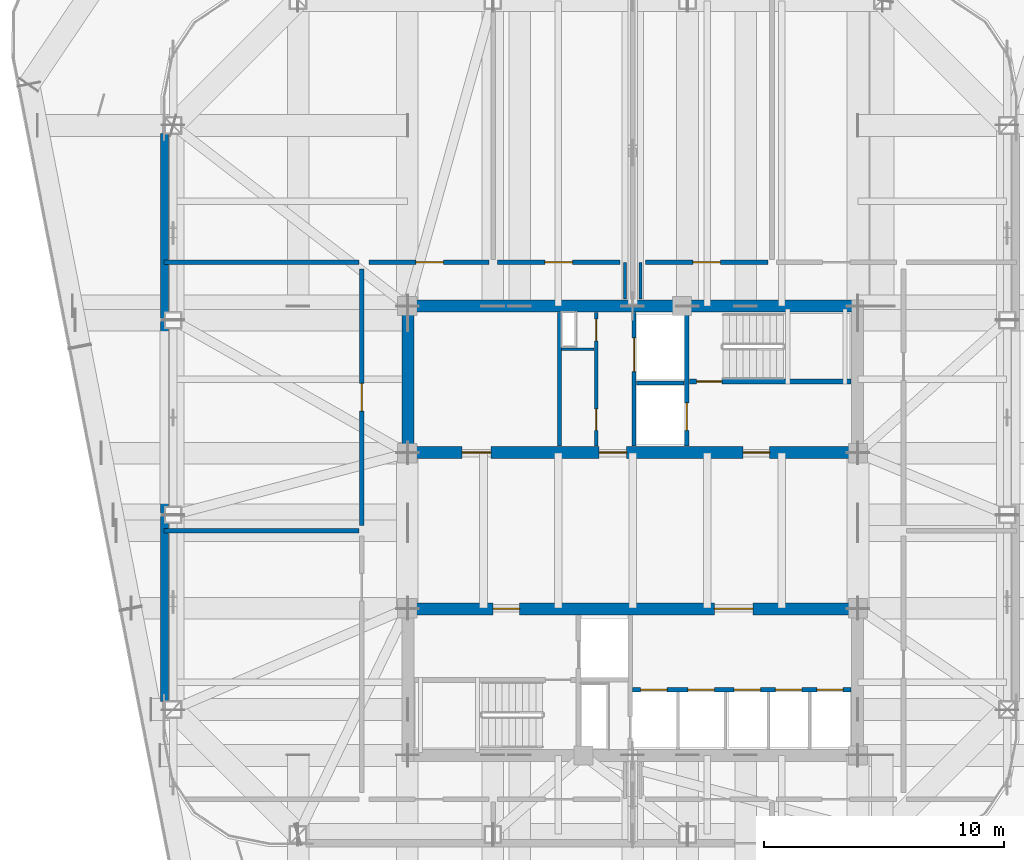
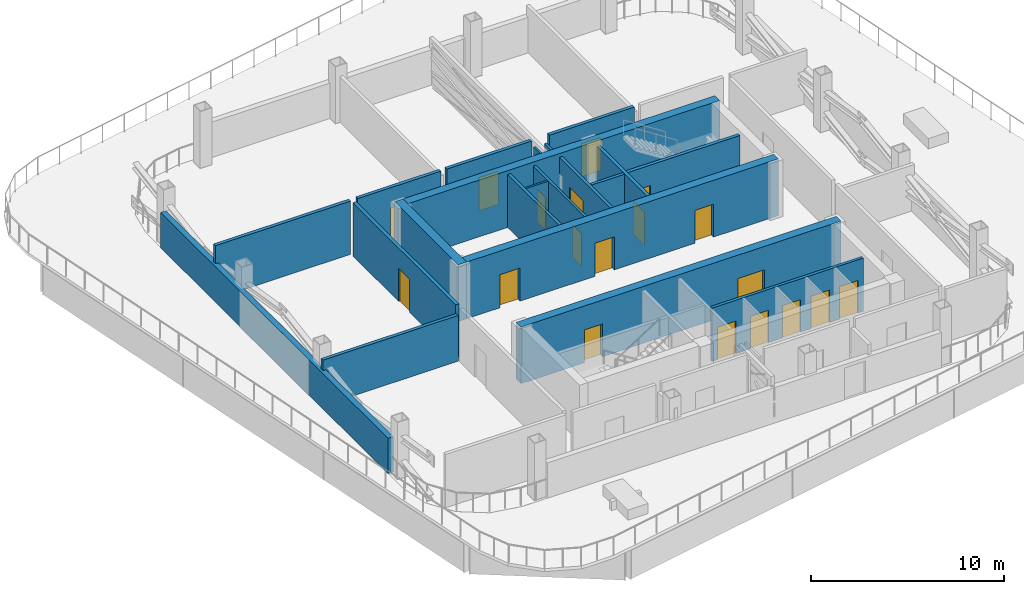
# One storey, part 8 of 14: 21 walls, 19 doors, 19 openings.
"""IFC4 building model written with IfcOpenShell, lengths in metres."""

from ifc_helpers import new_model, si_unit, direction, frame, frame_2d, origin, place, context, subcontext, project, spatial, rectangle, extrude, material, layer, layer_set, type_object, element, fill, save


model = new_model("IFC4")

# Units and contexts
model_context = context("Model", 3, precision=1e-05, world=origin(), true_north=direction((0.0, 1.0)))
body_context = subcontext(model_context, "Body", "Model", "MODEL_VIEW")
ifc_project = project(units=[si_unit("LENGTHUNIT", "METRE"), si_unit("AREAUNIT", "SQUARE_METRE"), si_unit("VOLUMEUNIT", "CUBIC_METRE"), si_unit("PLANEANGLEUNIT", "RADIAN"), si_unit("MASSUNIT", "GRAM", prefix="KILO")], contexts=[model_context])

# Site, building, storey
site_placement = place(None, origin())
site = spatial("IfcSite", under=ifc_project, at=site_placement, CompositionType="ELEMENT")
building_placement = place(site_placement, origin())
building = spatial("IfcBuilding", under=site, at=building_placement, Name="Qhalaya Broadcast Tower", CompositionType="ELEMENT")
storey_placement = place(building_placement, frame((0.0, 0.0, 144.60009765625)))
storey = spatial("IfcBuildingStorey", under=building, at=storey_placement, Name="L42", CompositionType="ELEMENT", Elevation=144.60009765625)

# Wall, openings, doors
ifc_material_1 = material(Name="Gypsum Acoustic Partition")
ifc_layer_1 = layer(ifc_material_1, 0.14990234375, Name="Gypsum Acoustic Partition")
ifc_layer_set_1 = layer_set([ifc_layer_1], Name="Gypsum Acoustic Partition")
wall_type_1 = type_object("IfcWallType", Name="Corridor & Tenancy Acoustic Partition 150", PredefinedType="PARTITIONING", material=ifc_layer_set_1)
wall_1_placement = place(storey_placement, frame((-1.52001953125, 4.1201171875, 0.0), z_axis=(0.0, 0.0, 1.0), x_axis=(0.0, 1.0, 0.0)))
wall_1 = element("IfcWall", 1, at=wall_1_placement, inside=storey, type_object=wall_type_1, Name="L42 Partition Wall NCW-SVL", PredefinedType="PARTITIONING", context=body_context, shape_type="SweptSolid", body=[
    extrude(rectangle(XDim=5.559814453125, YDim=0.14990234375, at=frame_2d((2.77978515625, 0.0))), origin(), (0.0, 0.0, 1.0), 3.3798828125),
])
opening_1_placement = place(wall_1_placement, frame((4.3798828125, 0.0, 0.0)))
opening_1 = element("IfcOpeningElement", 2, at=opening_1_placement, cuts=wall_1, Name="Opening D06", PredefinedType="OPENING", context=body_context, shape_type="SweptSolid", body=[
    extrude(rectangle(XDim=0.89990234375, YDim=2.050048828125, at=frame_2d((0.449951171875, 1.02490234375))), frame((0.0, 0.0869140625, 0.0), z_axis=(0.0, -1.0, 0.0), x_axis=(1.0, 0.0, 0.0)), (0.0, 0.0, 1.0), 0.173828125),
])
opening_2_placement = place(wall_1_placement, frame((0.64990234375, 0.0, 0.0)))
opening_2 = element("IfcOpeningElement", 3, at=opening_2_placement, cuts=wall_1, Name="Opening D06", PredefinedType="OPENING", context=body_context, shape_type="SweptSolid", body=[
    extrude(rectangle(XDim=0.89990234375, YDim=2.050048828125, at=frame_2d((0.449951171875, 1.02490234375))), frame((0.0, 0.0869140625, 0.0), z_axis=(0.0, -1.0, 0.0), x_axis=(1.0, 0.0, 0.0)), (0.0, 0.0, 1.0), 0.173828125),
])
ifc_material_2 = material(Name="Fire-Rated Steel Door", Category="steel")
door_type_1 = type_object("IfcDoorType", Name="Riser & Electrical Shaft Access Door D06", OperationType="NOTDEFINED", PredefinedType="DOOR", material=ifc_material_2)
door_1_placement = place(opening_1_placement, origin())
door_1 = element("IfcDoor", 4, at=door_1_placement, inside=storey, type_object=door_type_1, Name="L42 Riser Shaft Access Door D-NRSR", OperationType="SINGLE_SWING_RIGHT", OverallHeight=2.050048828125, OverallWidth=0.89990234375, PredefinedType="DOOR", context=body_context, shape_type="SweptSolid", body=[
    extrude(rectangle(XDim=0.89990234375, YDim=2.050048828125, at=frame_2d((0.449951171875, 1.02490234375))), frame((0.0, 0.02490234375, 0.0), z_axis=(0.0, -1.0, 0.0), x_axis=(1.0, 0.0, 0.0)), (0.0, 0.0, 1.0), 0.050048828125),
])
fill(opening_1, door_1)
door_2_placement = place(opening_2_placement, origin())
door_2 = element("IfcDoor", 5, at=door_2_placement, inside=storey, type_object=door_type_1, Name="L42 Door D-NCST", OperationType="SINGLE_SWING_LEFT", OverallHeight=2.050048828125, OverallWidth=0.89990234375, PredefinedType="DOOR", context=body_context, shape_type="SweptSolid", body=[
    extrude(rectangle(XDim=0.89990234375, YDim=2.050048828125, at=frame_2d((0.449951171875, 1.02490234375))), frame((0.0, 0.02490234375, 0.0), z_axis=(0.0, -1.0, 0.0), x_axis=(1.0, 0.0, 0.0)), (0.0, 0.0, 1.0), 0.050048828125),
])
fill(opening_2, door_2)

# Wall, opening, door
ifc_layer_2 = layer(ifc_material_1, 0.199951171875, Name="Gypsum Acoustic Partition")
ifc_layer_set_2 = layer_set([ifc_layer_2], Name="Gypsum Acoustic Partition")
wall_type_2 = type_object("IfcWallType", Name="Firefighting Lobby & Stair Enclosure Wall 200", PredefinedType="PARTITIONING", material=ifc_layer_set_2)
wall_2_placement = place(storey_placement, frame((-5.97998046875, 11.77001953125, 0.0), z_axis=(0.0, 0.0, 1.0), x_axis=(-1.0, 0.0, 0.0)))
wall_2 = element("IfcWall", 6, at=wall_2_placement, inside=storey, type_object=wall_type_2, Name="L42 Partition Wall W-PCN0", PredefinedType="PARTITIONING", context=body_context, shape_type="SweptSolid", body=[
    extrude(rectangle(XDim=4.989990234375, YDim=0.199951171875, at=frame_2d((2.4951171875, 0.0))), origin(), (0.0, 0.0, 1.0), 3.3798828125),
])
opening_3_placement = place(wall_2_placement, frame((1.889892578125, 0.0, 0.0)))
opening_3 = element("IfcOpeningElement", 7, at=opening_3_placement, cuts=wall_2, Name="Opening D05", PredefinedType="OPENING", context=body_context, shape_type="SweptSolid", body=[
    extrude(rectangle(XDim=1.14990234375, YDim=2.10009765625, at=frame_2d((0.574951171875, 1.050048828125))), frame((0.0, 0.112060546875, 0.0), z_axis=(0.0, -1.0, 0.0), x_axis=(1.0, 0.0, 0.0)), (0.0, 0.0, 1.0), 0.223876953125),
])
door_type_2 = type_object("IfcDoorType", Name="Refuge & Plant Room Fire Door D05", OperationType="NOTDEFINED", PredefinedType="DOOR", material=ifc_material_2)
door_3_placement = place(opening_3_placement, origin())
door_3 = element("IfcDoor", 8, at=door_3_placement, inside=storey, type_object=door_type_2, Name="L42 Door D-PCN0", OperationType="SINGLE_SWING_LEFT", OverallHeight=2.10009765625, OverallWidth=1.14990234375, PredefinedType="DOOR", context=body_context, shape_type="SweptSolid", body=[
    extrude(rectangle(XDim=1.14990234375, YDim=2.10009765625, at=frame_2d((0.574951171875, 1.050048828125))), frame((0.0, 0.02490234375, 0.0), z_axis=(0.0, -1.0, 0.0), x_axis=(1.0, 0.0, 0.0)), (0.0, 0.0, 1.0), 0.050048828125),
])
fill(opening_3, door_3)

wall_3_placement = place(storey_placement, frame((-0.530029296875, 11.77001953125, 0.0), z_axis=(0.0, 0.0, 1.0), x_axis=(-1.0, 0.0, 0.0)))
wall_3 = element("IfcWall", 9, at=wall_3_placement, inside=storey, type_object=wall_type_2, Name="L42 Partition Wall W-PCN1", PredefinedType="PARTITIONING", context=body_context, shape_type="SweptSolid", body=[
    extrude(rectangle(XDim=5.090087890625, YDim=0.199951171875, at=frame_2d((2.544921875, 0.0))), origin(), (0.0, 0.0, 1.0), 3.3798828125),
])
opening_4_placement = place(wall_3_placement, frame((1.969970703125, 0.0, 0.0)))
opening_4 = element("IfcOpeningElement", 10, at=opening_4_placement, cuts=wall_3, Name="Opening D05", PredefinedType="OPENING", context=body_context, shape_type="SweptSolid", body=[
    extrude(rectangle(XDim=1.14990234375, YDim=2.10009765625, at=frame_2d((0.574951171875, 1.050048828125))), frame((0.0, 0.112060546875, 0.0), z_axis=(0.0, -1.0, 0.0), x_axis=(1.0, 0.0, 0.0)), (0.0, 0.0, 1.0), 0.223876953125),
])
door_4_placement = place(opening_4_placement, origin())
door_4 = element("IfcDoor", 11, at=door_4_placement, inside=storey, type_object=door_type_2, Name="L42 Door D-PCN1", OperationType="SINGLE_SWING_LEFT", OverallHeight=2.10009765625, OverallWidth=1.14990234375, PredefinedType="DOOR", context=body_context, shape_type="SweptSolid", body=[
    extrude(rectangle(XDim=1.14990234375, YDim=2.10009765625, at=frame_2d((0.574951171875, 1.050048828125))), frame((0.0, 0.02490234375, 0.0), z_axis=(0.0, -1.0, 0.0), x_axis=(1.0, 0.0, 0.0)), (0.0, 0.0, 1.0), 0.050048828125),
])
fill(opening_4, door_4)

wall_4_placement = place(storey_placement, frame((5.6201171875, 11.77001953125, 0.0), z_axis=(0.0, 0.0, 1.0), x_axis=(-1.0, 0.0, 0.0)))
wall_4 = element("IfcWall", 12, at=wall_4_placement, inside=storey, type_object=wall_type_2, Name="L42 Partition Wall W-PCN2", PredefinedType="PARTITIONING", context=body_context, shape_type="SweptSolid", body=[
    extrude(rectangle(XDim=5.090087890625, YDim=0.199951171875, at=frame_2d((2.544921875, 0.0))), origin(), (0.0, 0.0, 1.0), 3.3798828125),
])
opening_5_placement = place(wall_4_placement, frame((1.969970703125, 0.0, 0.0)))
opening_5 = element("IfcOpeningElement", 13, at=opening_5_placement, cuts=wall_4, Name="Opening D05", PredefinedType="OPENING", context=body_context, shape_type="SweptSolid", body=[
    extrude(rectangle(XDim=1.14990234375, YDim=2.10009765625, at=frame_2d((0.574951171875, 1.050048828125))), frame((0.0, 0.112060546875, 0.0), z_axis=(0.0, -1.0, 0.0), x_axis=(1.0, 0.0, 0.0)), (0.0, 0.0, 1.0), 0.223876953125),
])
door_5_placement = place(opening_5_placement, origin())
door_5 = element("IfcDoor", 14, at=door_5_placement, inside=storey, type_object=door_type_2, Name="L42 Door D-PCN2", OperationType="SINGLE_SWING_LEFT", OverallHeight=2.10009765625, OverallWidth=1.14990234375, PredefinedType="DOOR", context=body_context, shape_type="SweptSolid", body=[
    extrude(rectangle(XDim=1.14990234375, YDim=2.10009765625, at=frame_2d((0.574951171875, 1.050048828125))), frame((0.0, 0.02490234375, 0.0), z_axis=(0.0, -1.0, 0.0), x_axis=(1.0, 0.0, 0.0)), (0.0, 0.0, 1.0), 0.050048828125),
])
fill(opening_5, door_5)

# Walls
wall_5_placement = place(storey_placement, frame((-19.5, 11.77001953125, 0.0), z_axis=(0.0, 0.0, 1.0), x_axis=(1.0, 0.0, 0.0)))
element("IfcWall", 15, at=wall_5_placement, inside=storey, type_object=wall_type_2, Name="L42 Partition Wall W-PBNW", PredefinedType="PARTITIONING", context=body_context, shape_type="SweptSolid", body=[
    extrude(rectangle(XDim=8.110107421875, YDim=0.199951171875, at=frame_2d((4.05517578125, 0.0))), origin(), (0.0, 0.0, 1.0), 3.3798828125),
])
wall_6_placement = place(storey_placement, frame((-19.5, 0.60009765625, 0.0), z_axis=(0.0, 0.0, 1.0), x_axis=(1.0, 0.0, 0.0)))
element("IfcWall", 16, at=wall_6_placement, inside=storey, type_object=wall_type_2, Name="L42 Partition Wall W-PDW1", PredefinedType="PARTITIONING", context=body_context, shape_type="SweptSolid", body=[
    extrude(rectangle(XDim=8.110107421875, YDim=0.199951171875, at=frame_2d((4.05517578125, 0.0))), origin(), (0.0, 0.0, 1.0), 2.90087890625),
])

# Wall, opening, door
wall_7_placement = place(storey_placement, frame((-11.27001953125, 11.489990234375, 0.0), z_axis=(0.0, 0.0, 1.0), x_axis=(0.0, -1.0, 0.0)))
wall_7 = element("IfcWall", 17, at=wall_7_placement, inside=storey, type_object=wall_type_2, Name="L42 Partition Wall W-PCW2", PredefinedType="PARTITIONING", context=body_context, shape_type="SweptSolid", body=[
    extrude(rectangle(XDim=10.679931640625, YDim=0.199951171875, at=frame_2d((5.33984375, 0.0))), origin(), (0.0, 0.0, 1.0), 3.3798828125),
])
opening_6_placement = place(wall_7_placement, frame((4.764892578125, 0.0, 0.0)))
opening_6 = element("IfcOpeningElement", 18, at=opening_6_placement, cuts=wall_7, Name="Opening D05", PredefinedType="OPENING", context=body_context, shape_type="SweptSolid", body=[
    extrude(rectangle(XDim=1.14990234375, YDim=2.10009765625, at=frame_2d((0.574951171875, 1.050048828125))), frame((0.0, 0.112060546875, 0.0), z_axis=(0.0, -1.0, 0.0), x_axis=(1.0, 0.0, 0.0)), (0.0, 0.0, 1.0), 0.223876953125),
])
door_6_placement = place(opening_6_placement, origin())
door_6 = element("IfcDoor", 19, at=door_6_placement, inside=storey, type_object=door_type_2, Name="L42 Door D-PCW2", OperationType="SINGLE_SWING_RIGHT", OverallHeight=2.10009765625, OverallWidth=1.14990234375, PredefinedType="DOOR", context=body_context, shape_type="SweptSolid", body=[
    extrude(rectangle(XDim=1.14990234375, YDim=2.10009765625, at=frame_2d((0.574951171875, 1.050048828125))), frame((0.0, 0.02490234375, 0.0), z_axis=(0.0, -1.0, 0.0), x_axis=(1.0, 0.0, 0.0)), (0.0, 0.0, 1.0), 0.050048828125),
])
fill(opening_6, door_6)

ifc_material_3 = material(Name="Concrete C50/60", Category="concrete")
ifc_layer_3 = layer(ifc_material_3, 0.199951171875, Name="Concrete C50/60")
ifc_layer_set_3 = layer_set([ifc_layer_3], Name="Concrete C50/60")
wall_type_3 = type_object("IfcWallType", Name="Load-Bearing Stair Shaft Wall 200", PredefinedType="SHEAR", material=ifc_layer_set_3)
wall_8_placement = place(storey_placement, frame((2.360107421875, 6.804931640625, 0.0), z_axis=(0.0, 0.0, 1.0), x_axis=(1.0, 0.0, 0.0)))
wall_8 = element("IfcWall", 20, at=wall_8_placement, inside=storey, type_object=wall_type_3, Name="L42 Stair Core Shear Wall NCW-ST1", PredefinedType="SHEAR", context=body_context, shape_type="SweptSolid", body=[
    extrude(rectangle(XDim=6.719970703125, YDim=0.199951171875, at=frame_2d((3.35986328125, 0.0))), origin(), (0.0, 0.0, 1.0), 3.3798828125),
])
opening_7_placement = place(wall_8_placement, frame((0.300048828125, 0.0, 0.0)))
opening_7 = element("IfcOpeningElement", 21, at=opening_7_placement, cuts=wall_8, Name="Opening D03", PredefinedType="OPENING", context=body_context, shape_type="SweptSolid", body=[
    extrude(rectangle(XDim=1.050048828125, YDim=2.080078125, at=frame_2d((0.52490234375, 1.0400390625))), frame((0.0, 0.112060546875, 0.0), z_axis=(0.0, -1.0, 0.0), x_axis=(1.0, 0.0, 0.0)), (0.0, 0.0, 1.0), 0.223876953125),
])
door_type_3 = type_object("IfcDoorType", Name="Core Stair Protected Fire Door D03", OperationType="NOTDEFINED", PredefinedType="DOOR", material=ifc_material_2)
door_7_placement = place(opening_7_placement, origin())
door_7 = element("IfcDoor", 22, at=door_7_placement, inside=storey, type_object=door_type_3, Name="L42 Door D-NST1", OperationType="SINGLE_SWING_LEFT", OverallHeight=2.080078125, OverallWidth=1.050048828125, PredefinedType="DOOR", context=body_context, shape_type="SweptSolid", body=[
    extrude(rectangle(XDim=1.050048828125, YDim=2.080078125, at=frame_2d((0.52490234375, 1.0400390625))), frame((0.0, 0.02490234375, 0.0), z_axis=(0.0, -1.0, 0.0), x_axis=(1.0, 0.0, 0.0)), (0.0, 0.0, 1.0), 0.050048828125),
])
fill(opening_7, door_7)

wall_9_placement = place(storey_placement, frame((2.25, 4.1201171875, 0.0), z_axis=(0.0, 0.0, 1.0), x_axis=(0.0, 1.0, 0.0)))
wall_9 = element("IfcWall", 23, at=wall_9_placement, inside=storey, type_object=wall_type_3, Name="L42 Stair Core Shear Wall NCW-FF", PredefinedType="SHEAR", context=body_context, shape_type="SweptSolid", body=[
    extrude(rectangle(XDim=5.559814453125, YDim=0.199951171875, at=frame_2d((2.77978515625, 0.0))), origin(), (0.0, 0.0, 1.0), 3.3798828125),
])
opening_8_placement = place(wall_9_placement, frame((0.64990234375, 0.0, 0.0)))
opening_8 = element("IfcOpeningElement", 24, at=opening_8_placement, cuts=wall_9, Name="Opening LD2", PredefinedType="OPENING", context=body_context, shape_type="SweptSolid", body=[
    extrude(rectangle(XDim=1.14990234375, YDim=2.080078125, at=frame_2d((0.574951171875, 1.0400390625))), frame((0.0, 0.112060546875, 0.0), z_axis=(0.0, -1.0, 0.0), x_axis=(1.0, 0.0, 0.0)), (0.0, 0.0, 1.0), 0.223876953125),
])
ifc_material_4 = material(Name="Brushed Stainless Steel Lift Door", Category="steel")
door_type_4 = type_object("IfcDoorType", Name="Firefighting Lift Sliding Landing Door LD2", OperationType="DOUBLE_DOOR_SLIDING", PredefinedType="DOOR", material=ifc_material_4)
door_8_placement = place(opening_8_placement, origin())
door_8 = element("IfcDoor", 25, at=door_8_placement, inside=storey, type_object=door_type_4, Name="L42 Door LD-FF1", OperationType="DOUBLE_DOOR_SLIDING", OverallHeight=2.080078125, OverallWidth=1.14990234375, PredefinedType="DOOR", context=body_context, shape_type="SweptSolid", body=[
    extrude(rectangle(XDim=1.14990234375, YDim=2.080078125, at=frame_2d((0.574951171875, 1.0400390625))), frame((0.0, 0.02490234375, 0.0), z_axis=(0.0, -1.0, 0.0), x_axis=(1.0, 0.0, 0.0)), (0.0, 0.0, 1.0), 0.050048828125),
])
fill(opening_8, door_8)

# Wall
ifc_layer_4 = layer(ifc_material_3, 0.5, Name="Concrete C50/60")
ifc_layer_set_4 = layer_set([ifc_layer_4], Name="Concrete C50/60")
wall_type_4 = type_object("IfcWallType", Name="Mid Split-Core Shear Wall 500", PredefinedType="SHEAR", material=ifc_layer_set_4)
wall_10_placement = place(storey_placement, frame((-9.60009765625, 9.949951171875, 0.0), z_axis=(0.0, 0.0, 1.0), x_axis=(1.0, 0.0, 0.0)))
element("IfcWall", 26, at=wall_10_placement, inside=storey, type_object=wall_type_4, Name="L42 Split-Core Shear Wall CW-NN", PredefinedType="SHEAR", context=body_context, shape_type="SweptSolid", body=[
    extrude(rectangle(XDim=19.2001953125, YDim=0.5, at=frame_2d((9.60009765625, 0.0))), origin(), (0.0, 0.0, 1.0), 3.599853515625),
])

# Wall, openings, doors
wall_11_placement = place(storey_placement, frame((-9.60009765625, 3.85009765625, 0.0), z_axis=(0.0, 0.0, 1.0), x_axis=(1.0, 0.0, 0.0)))
wall_11 = element("IfcWall", 27, at=wall_11_placement, inside=storey, type_object=wall_type_4, Name="L42 Split-Core Shear Wall CW-NS", PredefinedType="SHEAR", context=body_context, shape_type="SweptSolid", body=[
    extrude(rectangle(XDim=19.2001953125, YDim=0.5, at=frame_2d((9.60009765625, 0.0))), origin(), (0.0, 0.0, 1.0), 3.599853515625),
])
opening_9_placement = place(wall_11_placement, frame((14.199951171875, 0.0, 0.0)))
opening_9 = element("IfcOpeningElement", 28, at=opening_9_placement, cuts=wall_11, Name="Opening D04", PredefinedType="OPENING", context=body_context, shape_type="SweptSolid", body=[
    extrude(rectangle(XDim=1.10009765625, YDim=2.080078125, at=frame_2d((0.550048828125, 1.0400390625))), frame((0.0, 0.261962890625, 0.0), z_axis=(0.0, -1.0, 0.0), x_axis=(1.0, 0.0, 0.0)), (0.0, 0.0, 1.0), 0.52392578125),
])
opening_10_placement = place(wall_11_placement, frame((8.199951171875, 0.0, 0.0)))
opening_10 = element("IfcOpeningElement", 29, at=opening_10_placement, cuts=wall_11, Name="Opening D05", PredefinedType="OPENING", context=body_context, shape_type="SweptSolid", body=[
    extrude(rectangle(XDim=1.14990234375, YDim=2.10009765625, at=frame_2d((0.574951171875, 1.050048828125))), frame((0.0, 0.261962890625, 0.0), z_axis=(0.0, -1.0, 0.0), x_axis=(1.0, 0.0, 0.0)), (0.0, 0.0, 1.0), 0.52392578125),
])
opening_11_placement = place(wall_11_placement, frame((2.5, 0.0, 0.0)))
opening_11 = element("IfcOpeningElement", 30, at=opening_11_placement, cuts=wall_11, Name="Opening D11", PredefinedType="OPENING", context=body_context, shape_type="SweptSolid", body=[
    extrude(rectangle(XDim=1.199951171875, YDim=2.10009765625, at=frame_2d((0.60009765625, 1.050048828125))), frame((0.0, 0.261962890625, 0.0), z_axis=(0.0, -1.0, 0.0), x_axis=(1.0, 0.0, 0.0)), (0.0, 0.0, 1.0), 0.52392578125),
])
ifc_material_5 = material(Name="Anodised Aluminium Glazed Door", Category="aluminium")
door_type_5 = type_object("IfcDoorType", Name="Conference, Boardroom & Studio Control Door D11", OperationType="NOTDEFINED", PredefinedType="DOOR", material=ifc_material_5)
door_9_placement = place(opening_11_placement, origin())
door_9 = element("IfcDoor", 31, at=door_9_placement, inside=storey, type_object=door_type_5, Name="L42 Door D-NREC1", OperationType="SINGLE_SWING_LEFT", OverallHeight=2.10009765625, OverallWidth=1.199951171875, PredefinedType="DOOR", context=body_context, shape_type="SweptSolid", body=[
    extrude(rectangle(XDim=1.199951171875, YDim=2.10009765625, at=frame_2d((0.60009765625, 1.050048828125))), frame((0.0, 0.02490234375, 0.0), z_axis=(0.0, -1.0, 0.0), x_axis=(1.0, 0.0, 0.0)), (0.0, 0.0, 1.0), 0.050048828125),
])
fill(opening_11, door_9)
door_type_6 = type_object("IfcDoorType", Name="Firefighting Lobby Rated Door D04", OperationType="NOTDEFINED", PredefinedType="DOOR", material=ifc_material_2)
door_10_placement = place(opening_9_placement, origin())
door_10 = element("IfcDoor", 32, at=door_10_placement, inside=storey, type_object=door_type_6, Name="L42 Door D-NFF", OperationType="SINGLE_SWING_RIGHT", OverallHeight=2.080078125, OverallWidth=1.10009765625, PredefinedType="DOOR", context=body_context, shape_type="SweptSolid", body=[
    extrude(rectangle(XDim=1.10009765625, YDim=2.080078125, at=frame_2d((0.550048828125, 1.0400390625))), frame((0.0, 0.02490234375, 0.0), z_axis=(0.0, -1.0, 0.0), x_axis=(1.0, 0.0, 0.0)), (0.0, 0.0, 1.0), 0.050048828125),
])
fill(opening_9, door_10)
door_11_placement = place(opening_10_placement, origin())
door_11 = element("IfcDoor", 33, at=door_11_placement, inside=storey, type_object=door_type_2, Name="L42 Door D-NSVL", OperationType="SINGLE_SWING_LEFT", OverallHeight=2.10009765625, OverallWidth=1.14990234375, PredefinedType="DOOR", context=body_context, shape_type="SweptSolid", body=[
    extrude(rectangle(XDim=1.14990234375, YDim=2.10009765625, at=frame_2d((0.574951171875, 1.050048828125))), frame((0.0, 0.02490234375, 0.0), z_axis=(0.0, -1.0, 0.0), x_axis=(1.0, 0.0, 0.0)), (0.0, 0.0, 1.0), 0.050048828125),
])
fill(opening_10, door_11)

# Wall
wall_12_placement = place(storey_placement, frame((-9.35009765625, 3.60009765625, 0.0), z_axis=(0.0, 0.0, 1.0), x_axis=(0.0, 1.0, 0.0)))
element("IfcWall", 34, at=wall_12_placement, inside=storey, type_object=wall_type_4, Name="L42 Split-Core Shear Wall CW-NW", PredefinedType="SHEAR", context=body_context, shape_type="SweptSolid", body=[
    extrude(rectangle(XDim=6.599853515625, YDim=0.5, at=frame_2d((3.2998046875, 0.0))), origin(), (0.0, 0.0, 1.0), 3.599853515625),
])

# Wall, openings, doors
wall_13_placement = place(storey_placement, frame((-9.60009765625, -2.64990234375, 0.0), z_axis=(0.0, 0.0, 1.0), x_axis=(1.0, 0.0, 0.0)))
wall_13 = element("IfcWall", 35, at=wall_13_placement, inside=storey, type_object=wall_type_4, Name="L42 Split-Core Shear Wall CW-SN", PredefinedType="SHEAR", context=body_context, shape_type="SweptSolid", body=[
    extrude(rectangle(XDim=19.2001953125, YDim=0.5, at=frame_2d((9.60009765625, 0.0))), origin(), (0.0, 0.0, 1.0), 3.599853515625),
])
opening_12_placement = place(wall_13_placement, frame((3.800048828125, 0.0, 0.0)))
opening_12 = element("IfcOpeningElement", 36, at=opening_12_placement, cuts=wall_13, Name="Opening D04", PredefinedType="OPENING", context=body_context, shape_type="SweptSolid", body=[
    extrude(rectangle(XDim=1.10009765625, YDim=2.080078125, at=frame_2d((0.550048828125, 1.0400390625))), frame((0.0, 0.261962890625, 0.0), z_axis=(0.0, -1.0, 0.0), x_axis=(1.0, 0.0, 0.0)), (0.0, 0.0, 1.0), 0.52392578125),
])
opening_13_placement = place(wall_13_placement, frame((13.0, 0.0, 0.0)))
opening_13 = element("IfcOpeningElement", 37, at=opening_13_placement, cuts=wall_13, Name="Opening D07", PredefinedType="OPENING", context=body_context, shape_type="SweptSolid", body=[
    extrude(rectangle(XDim=1.60009765625, YDim=2.1201171875, at=frame_2d((0.800048828125, 1.06005859375))), frame((0.0, 0.261962890625, 0.0), z_axis=(0.0, -1.0, 0.0), x_axis=(1.0, 0.0, 0.0)), (0.0, 0.0, 1.0), 0.52392578125),
])
door_12_placement = place(opening_12_placement, origin())
door_12 = element("IfcDoor", 38, at=door_12_placement, inside=storey, type_object=door_type_6, Name="L42 Door D-SFF", OperationType="SINGLE_SWING_LEFT", OverallHeight=2.080078125, OverallWidth=1.10009765625, PredefinedType="DOOR", context=body_context, shape_type="SweptSolid", body=[
    extrude(rectangle(XDim=1.10009765625, YDim=2.080078125, at=frame_2d((0.550048828125, 1.0400390625))), frame((0.0, 0.02490234375, 0.0), z_axis=(0.0, -1.0, 0.0), x_axis=(1.0, 0.0, 0.0)), (0.0, 0.0, 1.0), 0.050048828125),
])
fill(opening_12, door_12)
door_type_7 = type_object("IfcDoorType", Name="Passenger Lift Lobby Double Glazed Door D07", OperationType="DOUBLE_DOOR_SINGLE_SWING", PredefinedType="DOOR", material=ifc_material_5)
door_13_placement = place(opening_13_placement, origin())
door_13 = element("IfcDoor", 39, at=door_13_placement, inside=storey, type_object=door_type_7, Name="L42 Door D-SPLL", OperationType="DOUBLE_DOOR_SINGLE_SWING", OverallHeight=2.1201171875, OverallWidth=1.60009765625, PredefinedType="DOOR", context=body_context, shape_type="SweptSolid", body=[
    extrude(rectangle(XDim=1.60009765625, YDim=2.1201171875, at=frame_2d((0.800048828125, 1.06005859375))), frame((0.0, 0.02490234375, 0.0), z_axis=(0.0, -1.0, 0.0), x_axis=(1.0, 0.0, 0.0)), (0.0, 0.0, 1.0), 0.050048828125),
])
fill(opening_13, door_13)

# Walls
ifc_layer_5 = layer(ifc_material_1, 0.1201171875, Name="Gypsum Acoustic Partition")
ifc_layer_set_5 = layer_set([ifc_layer_5], Name="Gypsum Acoustic Partition")
wall_type_5 = type_object("IfcWallType", Name="Office, Booth & Sanitary Partition 120", PredefinedType="PARTITIONING", material=ifc_layer_set_5)
wall_14_placement = place(storey_placement, frame((-2.9599609375, 8.14990234375, 0.0), z_axis=(0.0, 0.0, 1.0), x_axis=(1.0, 0.0, 0.0)))
element("IfcWall", 40, at=wall_14_placement, inside=storey, type_object=wall_type_5, Name="L42 Partition Wall NCW-VA", PredefinedType="PARTITIONING", context=body_context, shape_type="SweptSolid", body=[
    extrude(rectangle(XDim=1.35986328125, YDim=0.1201171875, at=frame_2d((0.679931640625, 0.0))), origin(), (0.0, 0.0, 1.0), 3.3798828125),
])
for number, where, z_axis, x_axis, name in (
    (41, (-0.320068359375, 10.239990234375, 0.0), (0.0, 0.0, 1.0), (0.0, 1.0, 0.0), "L42 Partition Wall W-OBNCW"),
    (42, (0.320068359375, 10.239990234375, 0.0), (0.0, 0.0, 1.0), (0.0, 1.0, 0.0), "L42 Partition Wall W-OBNCE"),
):
    element("IfcWall", number, at=place(storey_placement, frame(where, z_axis=z_axis, x_axis=x_axis)), inside=storey, type_object=wall_type_5, Name=name, PredefinedType="PARTITIONING", context=body_context, shape_type="SweptSolid", body=[
        extrude(rectangle(XDim=1.510009765625, YDim=0.1201171875, at=frame_2d((0.7548828125, 0.0))), origin(), (0.0, 0.0, 1.0), 2.90087890625),
    ])
ifc_material_6 = material(Name="Precast Concrete C40/50", Category="concrete")
ifc_layer_6 = layer(ifc_material_6, 0.320068359375, Name="Precast Concrete C40/50")
ifc_layer_set_6 = layer_set([ifc_layer_6], Name="Precast Concrete C40/50")
wall_type_6 = type_object("IfcWallType", Name="Recessed Neck Insulated Exterior Wall 320", PredefinedType="SOLIDWALL", material=ifc_layer_set_6)
wall_15_placement = place(storey_placement, frame((-19.47998046875, -6.501953125, 0.0), z_axis=(0.0, 0.0, 1.0), x_axis=(0.0, 1.0, 0.0)))
element("IfcWall", 43, at=wall_15_placement, inside=storey, type_object=wall_type_6, Name="L42 Exterior Facade Wall W", PredefinedType="SOLIDWALL", context=body_context, shape_type="SweptSolid", body=[
    extrude(rectangle(XDim=23.6240234375, YDim=0.320068359375, at=frame_2d((11.81201171875, 0.0))), origin(), (0.0, 0.0, 1.0), 2.241943359375),
])

# Wall, opening, door
ifc_layer_7 = layer(ifc_material_1, 0.175048828125, Name="Gypsum Acoustic Partition")
ifc_layer_set_7 = layer_set([ifc_layer_7], Name="Gypsum Acoustic Partition")
wall_type_7 = type_object("IfcWallType", Name="Shaft & Riser Fire Partition 175", PredefinedType="PARTITIONING", material=ifc_layer_set_7)
wall_16_placement = place(storey_placement, frame((0.06005859375, 4.1201171875, 0.0), z_axis=(0.0, 0.0, 1.0), x_axis=(0.0, 1.0, 0.0)))
wall_16 = element("IfcWall", 44, at=wall_16_placement, inside=storey, type_object=wall_type_7, Name="L42 Partition Wall NCW-SVW", PredefinedType="PARTITIONING", context=body_context, shape_type="SweptSolid", body=[
    extrude(rectangle(XDim=5.559814453125, YDim=0.175048828125, at=frame_2d((2.77978515625, 0.0))), origin(), (0.0, 0.0, 1.0), 3.3798828125),
])
opening_14_placement = place(wall_16_placement, frame((3.10009765625, 0.0, 0.0)))
opening_14 = element("IfcOpeningElement", 45, at=opening_14_placement, cuts=wall_16, Name="Opening LD3", PredefinedType="OPENING", context=body_context, shape_type="SweptSolid", body=[
    extrude(rectangle(XDim=1.39990234375, YDim=2.1201171875, at=frame_2d((0.699951171875, 1.06005859375))), frame((0.0, 0.099609375, 0.0), z_axis=(0.0, -1.0, 0.0), x_axis=(1.0, 0.0, 0.0)), (0.0, 0.0, 1.0), 0.198974609375),
])
door_type_8 = type_object("IfcDoorType", Name="Service Lift Wide Sliding Landing Door LD3", OperationType="DOUBLE_DOOR_SLIDING", PredefinedType="DOOR", material=ifc_material_4)
door_14_placement = place(opening_14_placement, origin())
door_14 = element("IfcDoor", 46, at=door_14_placement, inside=storey, type_object=door_type_8, Name="L42 Door LD-SV1", OperationType="DOUBLE_DOOR_SLIDING", OverallHeight=2.1201171875, OverallWidth=1.39990234375, PredefinedType="DOOR", context=body_context, shape_type="SweptSolid", body=[
    extrude(rectangle(XDim=1.39990234375, YDim=2.1201171875, at=frame_2d((0.699951171875, 1.06005859375))), frame((0.0, 0.02490234375, 0.0), z_axis=(0.0, -1.0, 0.0), x_axis=(1.0, 0.0, 0.0)), (0.0, 0.0, 1.0), 0.050048828125),
])
fill(opening_14, door_14)

# Walls
wall_17_placement = place(storey_placement, frame((0.159912109375, 6.75, 0.0), z_axis=(0.0, 0.0, 1.0), x_axis=(1.0, 0.0, 0.0)))
element("IfcWall", 47, at=wall_17_placement, inside=storey, type_object=wall_type_7, Name="L42 Partition Wall NCW-SVM", PredefinedType="PARTITIONING", context=body_context, shape_type="SweptSolid", body=[
    extrude(rectangle(XDim=1.97998046875, YDim=0.175048828125, at=frame_2d((0.989990234375, 0.0))), origin(), (0.0, 0.0, 1.0), 3.3798828125),
])
wall_18_placement = place(storey_placement, frame((-3.0400390625, 4.1201171875, 0.0), z_axis=(0.0, 0.0, 1.0), x_axis=(0.0, 1.0, 0.0)))
element("IfcWall", 48, at=wall_18_placement, inside=storey, type_object=wall_type_7, Name="L42 Partition Wall NCW-VRW", PredefinedType="PARTITIONING", context=body_context, shape_type="SweptSolid", body=[
    extrude(rectangle(XDim=5.559814453125, YDim=0.175048828125, at=frame_2d((2.77978515625, 0.0))), origin(), (0.0, 0.0, 1.0), 3.3798828125),
])

# Wall, openings, doors
wall_19_placement = place(storey_placement, frame((0.0, -6.02001953125, 0.0), z_axis=(0.0, 0.0, 1.0), x_axis=(1.0, 0.0, 0.0)))
wall_19 = element("IfcWall", 49, at=wall_19_placement, inside=storey, type_object=wall_type_7, Name="L42 Partition Wall SCW-SLB", PredefinedType="PARTITIONING", context=body_context, shape_type="SweptSolid", body=[
    extrude(rectangle(XDim=9.080078125, YDim=0.175048828125, at=frame_2d((4.5400390625, 0.0))), origin(), (0.0, 0.0, 1.0), 3.3798828125),
])
opening_15_placement = place(wall_19_placement, frame((0.330078125, 0.0, 0.0)))
opening_15 = element("IfcOpeningElement", 50, at=opening_15_placement, cuts=wall_19, Name="Opening LD1", PredefinedType="OPENING", context=body_context, shape_type="SweptSolid", body=[
    extrude(rectangle(XDim=1.10009765625, YDim=2.06005859375, at=frame_2d((0.550048828125, 1.030029296875))), frame((0.0, 0.099609375, 0.0), z_axis=(0.0, -1.0, 0.0), x_axis=(1.0, 0.0, 0.0)), (0.0, 0.0, 1.0), 0.198974609375),
])
opening_16_placement = place(wall_19_placement, frame((2.300048828125, 0.0, 0.0)))
opening_16 = element("IfcOpeningElement", 51, at=opening_16_placement, cuts=wall_19, Name="Opening LD1", PredefinedType="OPENING", context=body_context, shape_type="SweptSolid", body=[
    extrude(rectangle(XDim=1.10009765625, YDim=2.06005859375, at=frame_2d((0.550048828125, 1.030029296875))), frame((0.0, 0.099609375, 0.0), z_axis=(0.0, -1.0, 0.0), x_axis=(1.0, 0.0, 0.0)), (0.0, 0.0, 1.0), 0.198974609375),
])
opening_17_placement = place(wall_19_placement, frame((4.219970703125, 0.0, 0.0)))
opening_17 = element("IfcOpeningElement", 52, at=opening_17_placement, cuts=wall_19, Name="Opening LD1", PredefinedType="OPENING", context=body_context, shape_type="SweptSolid", body=[
    extrude(rectangle(XDim=1.10009765625, YDim=2.06005859375, at=frame_2d((0.550048828125, 1.030029296875))), frame((0.0, 0.099609375, 0.0), z_axis=(0.0, -1.0, 0.0), x_axis=(1.0, 0.0, 0.0)), (0.0, 0.0, 1.0), 0.198974609375),
])
opening_18_placement = place(wall_19_placement, frame((5.93994140625, 0.0, 0.0)))
opening_18 = element("IfcOpeningElement", 53, at=opening_18_placement, cuts=wall_19, Name="Opening LD1", PredefinedType="OPENING", context=body_context, shape_type="SweptSolid", body=[
    extrude(rectangle(XDim=1.10009765625, YDim=2.06005859375, at=frame_2d((0.550048828125, 1.030029296875))), frame((0.0, 0.099609375, 0.0), z_axis=(0.0, -1.0, 0.0), x_axis=(1.0, 0.0, 0.0)), (0.0, 0.0, 1.0), 0.198974609375),
])
opening_19_placement = place(wall_19_placement, frame((7.659912109375, 0.0, 0.0)))
opening_19 = element("IfcOpeningElement", 54, at=opening_19_placement, cuts=wall_19, Name="Opening LD1", PredefinedType="OPENING", context=body_context, shape_type="SweptSolid", body=[
    extrude(rectangle(XDim=1.10009765625, YDim=2.06005859375, at=frame_2d((0.550048828125, 1.030029296875))), frame((0.0, 0.099609375, 0.0), z_axis=(0.0, -1.0, 0.0), x_axis=(1.0, 0.0, 0.0)), (0.0, 0.0, 1.0), 0.198974609375),
])
door_type_9 = type_object("IfcDoorType", Name="Passenger Lift Sliding Landing Door LD1", OperationType="DOUBLE_DOOR_SLIDING", PredefinedType="DOOR", material=ifc_material_4)
door_15_placement = place(opening_15_placement, origin())
door_15 = element("IfcDoor", 55, at=door_15_placement, inside=storey, type_object=door_type_9, Name="L42 Door LD-P4", OperationType="DOUBLE_DOOR_SLIDING", OverallHeight=2.06005859375, OverallWidth=1.10009765625, PredefinedType="DOOR", context=body_context, shape_type="SweptSolid", body=[
    extrude(rectangle(XDim=1.10009765625, YDim=2.06005859375, at=frame_2d((0.550048828125, 1.030029296875))), frame((0.0, 0.02490234375, 0.0), z_axis=(0.0, -1.0, 0.0), x_axis=(1.0, 0.0, 0.0)), (0.0, 0.0, 1.0), 0.050048828125),
])
fill(opening_15, door_15)
door_16_placement = place(opening_16_placement, origin())
door_16 = element("IfcDoor", 56, at=door_16_placement, inside=storey, type_object=door_type_9, Name="L42 Door LD-P5", OperationType="DOUBLE_DOOR_SLIDING", OverallHeight=2.06005859375, OverallWidth=1.10009765625, PredefinedType="DOOR", context=body_context, shape_type="SweptSolid", body=[
    extrude(rectangle(XDim=1.10009765625, YDim=2.06005859375, at=frame_2d((0.550048828125, 1.030029296875))), frame((0.0, 0.02490234375, 0.0), z_axis=(0.0, -1.0, 0.0), x_axis=(1.0, 0.0, 0.0)), (0.0, 0.0, 1.0), 0.050048828125),
])
fill(opening_16, door_16)
door_17_placement = place(opening_17_placement, origin())
door_17 = element("IfcDoor", 57, at=door_17_placement, inside=storey, type_object=door_type_9, Name="L42 Door LD-P6", OperationType="DOUBLE_DOOR_SLIDING", OverallHeight=2.06005859375, OverallWidth=1.10009765625, PredefinedType="DOOR", context=body_context, shape_type="SweptSolid", body=[
    extrude(rectangle(XDim=1.10009765625, YDim=2.06005859375, at=frame_2d((0.550048828125, 1.030029296875))), frame((0.0, 0.02490234375, 0.0), z_axis=(0.0, -1.0, 0.0), x_axis=(1.0, 0.0, 0.0)), (0.0, 0.0, 1.0), 0.050048828125),
])
fill(opening_17, door_17)
door_18_placement = place(opening_18_placement, origin())
door_18 = element("IfcDoor", 58, at=door_18_placement, inside=storey, type_object=door_type_9, Name="L42 Door LD-P7", OperationType="DOUBLE_DOOR_SLIDING", OverallHeight=2.06005859375, OverallWidth=1.10009765625, PredefinedType="DOOR", context=body_context, shape_type="SweptSolid", body=[
    extrude(rectangle(XDim=1.10009765625, YDim=2.06005859375, at=frame_2d((0.550048828125, 1.030029296875))), frame((0.0, 0.02490234375, 0.0), z_axis=(0.0, -1.0, 0.0), x_axis=(1.0, 0.0, 0.0)), (0.0, 0.0, 1.0), 0.050048828125),
])
fill(opening_18, door_18)
door_19_placement = place(opening_19_placement, origin())
door_19 = element("IfcDoor", 59, at=door_19_placement, inside=storey, type_object=door_type_9, Name="L42 Door LD-P8", OperationType="DOUBLE_DOOR_SLIDING", OverallHeight=2.06005859375, OverallWidth=1.10009765625, PredefinedType="DOOR", context=body_context, shape_type="SweptSolid", body=[
    extrude(rectangle(XDim=1.10009765625, YDim=2.06005859375, at=frame_2d((0.550048828125, 1.030029296875))), frame((0.0, 0.02490234375, 0.0), z_axis=(0.0, -1.0, 0.0), x_axis=(1.0, 0.0, 0.0)), (0.0, 0.0, 1.0), 0.050048828125),
])
fill(opening_19, door_19)

save(model, "model.ifc")
